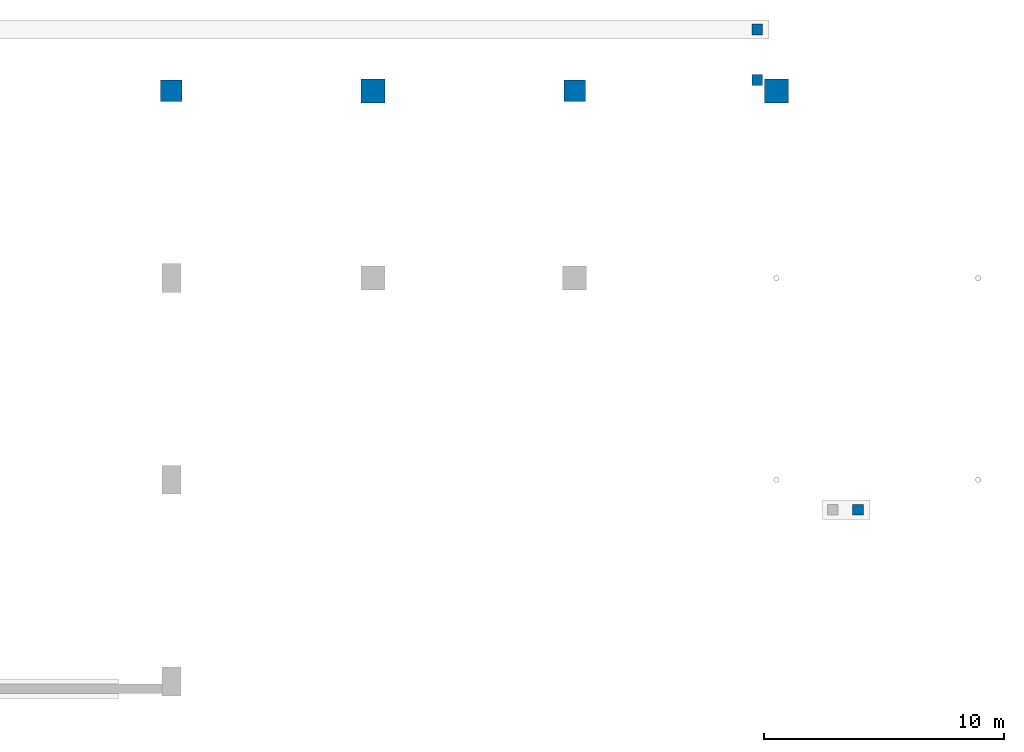
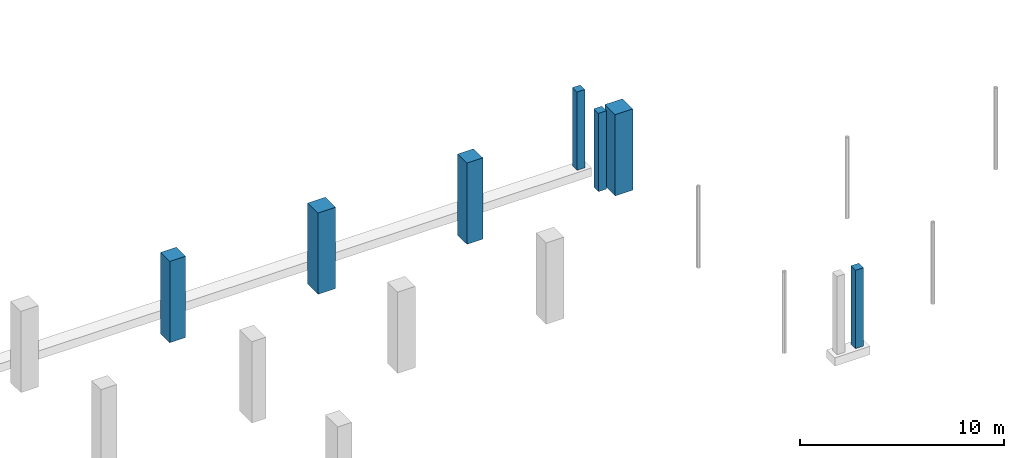
# One storey, part 20 of 39: 7 columns.
"""IFC4 building model written with IfcOpenShell, lengths in metres."""

import ifcopenshell
import ifcopenshell.guid

model = None  # the IFC model being written
_history = None  # IfcOwnerHistory: only IFC2X3 demands one
_inside = {}  # id of a spatial element -> (the spatial element, [elements in it])
_under = {}  # id of a project, library or spatial element -> (it, [spatial elements below it])
_declared = {}  # id of a project -> (the project, [libraries it declares])
_typed = {}  # id of a type object -> (the type object, [elements of that type])
_made_of = {}  # id of a material, layer set ... -> (it, [elements and type objects made of it])


def new_model(schema):
    """Start an empty IFC model of exactly this schema.

    Asked for "IFC4X3", IfcOpenShell would pick the latest addendum, in which some entities
    have other attributes; the version numbers below select the first issue.
    IFC2X3 requires an IfcOwnerHistory on every rooted entity: one is made here for all.
    """
    global model, _history
    if schema == "IFC4X3":
        model = ifcopenshell.file(schema_version=(4, 3, 0, 0))
    else:
        model = ifcopenshell.file(schema=schema)
    _inside.clear()
    _under.clear()
    _declared.clear()
    _typed.clear()
    _made_of.clear()
    _history = None
    if model.schema == "IFC2X3":
        org = make("IfcOrganization", Name="unknown")
        user = make(
            "IfcPersonAndOrganization",
            ThePerson=make("IfcPerson", FamilyName="unknown"),
            TheOrganization=org,
        )
        app = make(
            "IfcApplication",
            ApplicationDeveloper=org,
            Version="unknown",
            ApplicationFullName="unknown",
            ApplicationIdentifier="unknown",
        )
        _history = make(
            "IfcOwnerHistory",
            OwningUser=user,
            OwningApplication=app,
            ChangeAction="ADDED",
            CreationDate=0,
        )
    return model


def make(cls, **values):
    """One entity of the class cls with the attributes given. An attribute that is None is left unset."""
    return model.create_entity(
        cls, **{name: value for name, value in values.items() if value is not None}
    )


def rooted(cls, **values):
    """An entity with a GlobalId (a new one), such as an element, a storey or a relation."""
    return make(cls, GlobalId=ifcopenshell.guid.new(), OwnerHistory=_history, **values)


def si_unit(unit_type, name, prefix=None):
    """IfcSIUnit, for example si_unit("LENGTHUNIT", "METRE", prefix="MILLI")."""
    return make("IfcSIUnit", UnitType=unit_type, Prefix=prefix, Name=name)


def derived_unit(unit_type, elements):
    """IfcDerivedUnit: a product of units, each with its exponent."""
    return make(
        "IfcDerivedUnit",
        Elements=[
            make("IfcDerivedUnitElement", Unit=unit, Exponent=power)
            for unit, power in elements
        ],
        UnitType=unit_type,
    )


def assignment(units):
    """IfcUnitAssignment: the units of a project."""
    return None if units is None else make("IfcUnitAssignment", Units=units)


def point(xyz):
    """IfcCartesianPoint."""
    return None if xyz is None else make("IfcCartesianPoint", Coordinates=xyz)


def direction(xyz):
    """IfcDirection."""
    return None if xyz is None else make("IfcDirection", DirectionRatios=xyz)


def frame(location, z_axis=None, x_axis=None):
    """IfcAxis2Placement3D, a coordinate frame: its origin and axes. An axis left out is left unset."""
    return make(
        "IfcAxis2Placement3D",
        Location=point(location),
        Axis=direction(z_axis),
        RefDirection=direction(x_axis),
    )


def frame_2d(location, x_axis=None):
    """IfcAxis2Placement2D, a coordinate frame in the plane: its origin and x axis."""
    return make(
        "IfcAxis2Placement2D", Location=point(location), RefDirection=direction(x_axis)
    )


def origin():
    """The frame at (0, 0, 0) with its axes left unset."""
    return frame((0.0, 0.0, 0.0))


def origin_2d():
    """The frame at (0, 0) in the plane with its x axis left unset."""
    return frame_2d((0.0, 0.0))


def place(relative_to, where):
    """IfcLocalPlacement: puts the frame where relative to a parent placement (None: the world)."""
    return make(
        "IfcLocalPlacement", PlacementRelTo=relative_to, RelativePlacement=where
    )


def context(
    kind, dimensions, precision=None, world=None, true_north=None, identifier=None
):
    """IfcGeometricRepresentationContext, for example the 3D "Model" context."""
    return make(
        "IfcGeometricRepresentationContext",
        ContextIdentifier=identifier,
        ContextType=kind,
        CoordinateSpaceDimension=dimensions,
        Precision=precision,
        WorldCoordinateSystem=world,
        TrueNorth=true_north,
    )


def subcontext(parent, identifier, kind, view, scale=None):
    """IfcGeometricRepresentationSubContext, for example "Body" below "Model"."""
    return make(
        "IfcGeometricRepresentationSubContext",
        ContextIdentifier=identifier,
        ContextType=kind,
        ParentContext=parent,
        TargetScale=scale,
        TargetView=view,
    )


def project(units=None, contexts=None):
    """IfcProject with its units and contexts."""
    return rooted(
        "IfcProject",
        Name="project",
        RepresentationContexts=contexts,
        UnitsInContext=assignment(units),
    )


def spatial(cls, under=None, at=None, **own):
    """A site, building, storey or space (cls), placed at a placement, below another one or the project."""
    s = rooted(cls, ObjectPlacement=at, **own)
    if under is not None:
        _under.setdefault(under.id(), (under, []))[1].append(s)
    return s


def profile(cls, at=None, kind="AREA", **sizes):
    """A parametric profile (cls). Its sizes go by their IFC names, for example OverallWidth=200.0."""
    return make(cls, ProfileType=kind, Position=at, **sizes)


def rectangle(**sizes):
    """IfcRectangleProfileDef."""
    return profile("IfcRectangleProfileDef", **sizes)


def extrude(swept, where, along, depth):
    """IfcExtrudedAreaSolid: the profile swept, set in the frame where, extruded along a direction by depth."""
    return make(
        "IfcExtrudedAreaSolid",
        SweptArea=swept,
        Position=where,
        ExtrudedDirection=direction(along),
        Depth=depth,
    )


def shape(context_of_items, identifier, shape_type, items):
    """IfcShapeRepresentation: the items that make up one representation, for example the "Body"."""
    return make(
        "IfcShapeRepresentation",
        ContextOfItems=context_of_items,
        RepresentationIdentifier=identifier,
        RepresentationType=shape_type,
        Items=items,
    )


def material(Name=None, Category=None):
    """IfcMaterial."""
    return make("IfcMaterial", Name=Name, Category=Category)


def material_profile(
    of_material, cross_section, Name=None, Category=None, Priority=None
):
    """IfcMaterialProfile: a cross section and its material."""
    return make(
        "IfcMaterialProfile",
        Name=Name,
        Material=of_material,
        Profile=cross_section,
        Priority=Priority,
        Category=Category,
    )


def profile_set(profiles, Name=None, composite=None):
    """IfcMaterialProfileSet."""
    return make(
        "IfcMaterialProfileSet",
        Name=Name,
        MaterialProfiles=profiles,
        CompositeProfile=composite,
    )


def made_of(thing, what):
    """Note that an element or type object is made of a material, layer set ...; save() writes the relation."""
    if what is not None:
        _made_of.setdefault(what.id(), (what, []))[1].append(thing)
    return thing


def type_object(cls, material=None, **own):
    """A type object (cls), such as IfcWallType, which elements share."""
    return made_of(rooted(cls, **own), material)


def element(
    cls,
    number,
    at=None,
    inside=None,
    cuts=None,
    type_object=None,
    material=None,
    context=None,
    identifier="Body",
    shape_type=None,
    held_by="IfcProductDefinitionShape",
    body=None,
    shapes=None,
    **own,
):
    """One element of the class cls, such as IfcWall. Its Tag is "e" and its number.

    at: its placement. inside: the storey or other place that contains it. cuts: it is an
    opening in that element (IfcRelVoidsElement). A single representation is given by context,
    identifier, shape_type and body (its items); several are given by shapes. held_by: the class
    of the entity that holds the representations. save() writes the other relations.
    """
    e = rooted(cls, Tag="e%d" % number, ObjectPlacement=at, **own)
    if body is not None:
        shapes = [shape(context, identifier, shape_type, body)]
    if shapes is not None:
        e.Representation = make(held_by, Representations=shapes)
    if inside is not None:
        _inside.setdefault(inside.id(), (inside, []))[1].append(e)
    if cuts is not None:
        rooted(
            "IfcRelVoidsElement", RelatingBuildingElement=cuts, RelatedOpeningElement=e
        )
    if type_object is not None:
        _typed.setdefault(type_object.id(), (type_object, []))[1].append(e)
    return made_of(e, material)


def aggregate(whole, parts):
    """IfcRelAggregates: a whole, such as a stair, and the parts it consists of."""
    return rooted("IfcRelAggregates", RelatingObject=whole, RelatedObjects=parts)


def save(model, path):
    """Write the relations noted so far, then the file.

    IfcRelAggregates (storeys below a building ...), IfcRelContainedInSpatialStructure (elements
    in a storey), IfcRelDefinesByType, IfcRelAssociatesMaterial and IfcRelDeclares: one each for
    every whole, place, type object, material and project.
    """
    for whole, parts in _under.values():
        aggregate(whole, parts)
    for where, things in _inside.values():
        rooted(
            "IfcRelContainedInSpatialStructure",
            RelatedElements=things,
            RelatingStructure=where,
        )
    for kind, things in _typed.values():
        rooted("IfcRelDefinesByType", RelatedObjects=things, RelatingType=kind)
    for what, things in _made_of.values():
        rooted("IfcRelAssociatesMaterial", RelatedObjects=things, RelatingMaterial=what)
    for by, libraries in _declared.values():
        rooted("IfcRelDeclares", RelatingContext=by, RelatedDefinitions=libraries)
    model.write(path)


model = new_model("IFC4")

# Units and contexts
model_context = context("Model", 3, precision=1e-05, world=origin(), true_north=direction((0.0, 1.0)))
body_context = subcontext(model_context, "Body", "Model", "MODEL_VIEW")
ifc_project = project(units=[si_unit("LENGTHUNIT", "METRE"), si_unit("AREAUNIT", "SQUARE_METRE"), si_unit("VOLUMEUNIT", "CUBIC_METRE"), si_unit("PLANEANGLEUNIT", "RADIAN"), si_unit("MASSUNIT", "GRAM", prefix="KILO"), derived_unit("THERMALTRANSMITTANCEUNIT", [(si_unit("POWERUNIT", "WATT"), 1), (si_unit("LENGTHUNIT", "METRE"), -2), (si_unit("THERMODYNAMICTEMPERATUREUNIT", "KELVIN"), -1)])], contexts=[model_context])

# Site, building, storey
site_placement = place(None, origin())
site = spatial("IfcSite", under=ifc_project, at=site_placement, CompositionType="ELEMENT")
building_placement = place(site_placement, origin())
building = spatial("IfcBuilding", under=site, at=building_placement, Name="Barrovel Congress Hotel", CompositionType="ELEMENT")
storey_placement = place(building_placement, frame((0.0, 0.0, -4.5)))
storey = spatial("IfcBuildingStorey", under=building, at=storey_placement, Name="B01", CompositionType="ELEMENT", Elevation=-4.5)

# Columns
ifc_material_1 = material(Name="Concrete C50", Category="concrete")
ifc_material_profile_1 = material_profile(ifc_material_1, rectangle(XDim=1.0, YDim=1.0, at=origin_2d()), Name="RC1000x1000")
ifc_profile_set_1 = profile_set([ifc_material_profile_1], Name="Concrete C50")
column_type_1 = type_object("IfcColumnType", Name="COL-RC1000x1000", PredefinedType="COLUMN", material=ifc_profile_set_1)
for number, where, z_axis, x_axis, name in (
    (1, (42.0, 112.800048828125, -0.360107421875), (0.0, 0.0, 1.0), (1.0, 0.0, 0.0), "COL:B01:42.0:112.8"),
    (2, (58.800048828125, 112.800048828125, -0.360107421875), (0.0, 0.0, 1.0), (1.0, 0.0, 0.0), "COL:B01:58.8:112.8"),
):
    element("IfcColumn", number, at=place(storey_placement, frame(where, z_axis=z_axis, x_axis=x_axis)), inside=storey, type_object=column_type_1, Name=name, PredefinedType="COLUMN", context=body_context, shape_type="SweptSolid", body=[
        extrude(rectangle(XDim=1.0, YDim=1.0, at=origin_2d()), origin(), (0.0, 0.0, 1.0), 4.860107421875),
    ])
ifc_material_2 = material(Name="Concrete C40", Category="concrete")
ifc_material_profile_2 = material_profile(ifc_material_2, rectangle(XDim=0.449951171875, YDim=0.449951171875, at=origin_2d()), Name="RC450x450")
ifc_profile_set_2 = profile_set([ifc_material_profile_2], Name="Concrete C40")
column_type_2 = type_object("IfcColumnType", Name="COL-RC450x450", PredefinedType="COLUMN", material=ifc_profile_set_2)
for number, where, z_axis, x_axis, name in (
    (3, (58.0, 113.25, -0.360107421875), (0.0, 0.0, 1.0), (1.0, 0.0, 0.0), "COL:PAV-NORTH-DOCK:2"),
    (4, (58.0, 115.35009765625, -0.360107421875), (0.0, 0.0, 1.0), (1.0, 0.0, 0.0), "COL:PAV-NORTH-DOCK:3"),
    (5, (62.199951171875, 95.35009765625, -0.360107421875), (0.0, 0.0, 1.0), (1.0, 0.0, 0.0), "COL:PAV-COURT-WALK-W:3"),
):
    element("IfcColumn", number, at=place(storey_placement, frame(where, z_axis=z_axis, x_axis=x_axis)), inside=storey, type_object=column_type_2, Name=name, PredefinedType="COLUMN", context=body_context, shape_type="SweptSolid", body=[
        extrude(rectangle(XDim=0.449951171875, YDim=0.449951171875, at=origin_2d()), origin(), (0.0, 0.0, 1.0), 4.68017578125),
    ])
ifc_material_profile_3 = material_profile(ifc_material_2, rectangle(XDim=0.89990234375, YDim=0.89990234375, at=origin_2d()), Name="RC900x900")
ifc_profile_set_3 = profile_set([ifc_material_profile_3], Name="Concrete C40")
column_type_3 = type_object("IfcColumnType", Name="COL-RC900x900", PredefinedType="COLUMN", material=ifc_profile_set_3)
for number, where, z_axis, x_axis, name in (
    (6, (33.60009765625, 112.800048828125, -0.360107421875), (0.0, 0.0, 1.0), (1.0, 0.0, 0.0), "COL:B01:33.6:112.8"),
    (7, (50.39990234375, 112.800048828125, -0.360107421875), (0.0, 0.0, 1.0), (1.0, 0.0, 0.0), "COL:B01:50.4:112.8"),
):
    element("IfcColumn", number, at=place(storey_placement, frame(where, z_axis=z_axis, x_axis=x_axis)), inside=storey, type_object=column_type_3, Name=name, PredefinedType="COLUMN", context=body_context, shape_type="SweptSolid", body=[
        extrude(rectangle(XDim=0.89990234375, YDim=0.89990234375, at=origin_2d()), origin(), (0.0, 0.0, 1.0), 4.860107421875),
    ])

save(model, "model.ifc")
